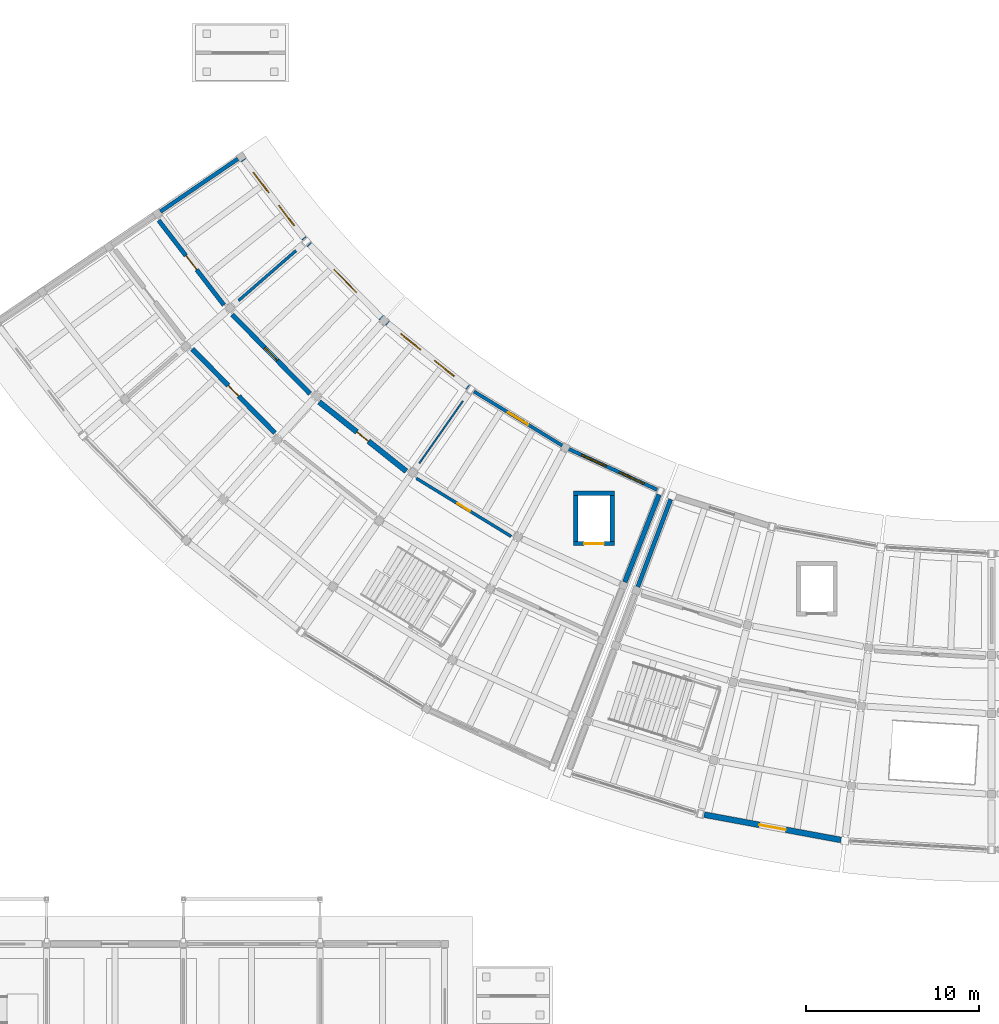
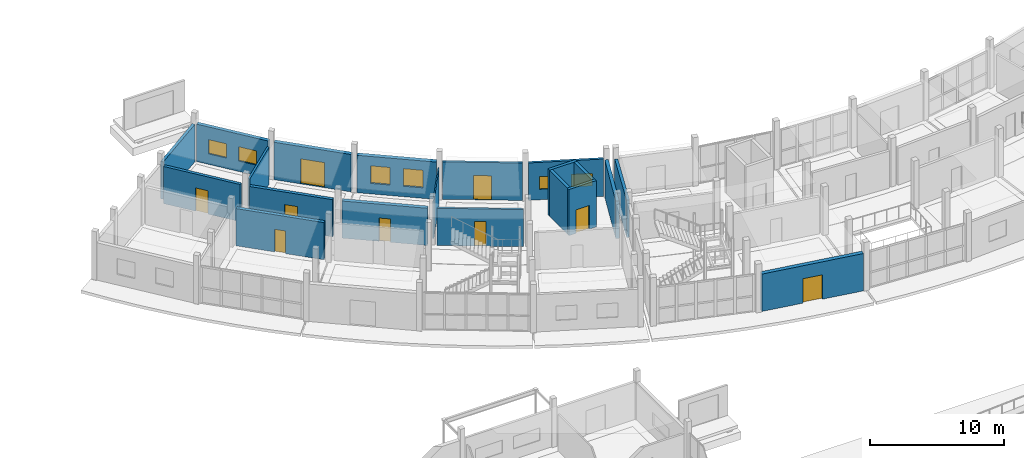
# One storey, part 67 of 92: 20 walls, 9 doors, 6 windows, 15 openings.
"""IFC4 building model written with IfcOpenShell, lengths in metres."""

import ifcopenshell
import ifcopenshell.guid

model = None  # the IFC model being written
_history = None  # IfcOwnerHistory: only IFC2X3 demands one
_inside = {}  # id of a spatial element -> (the spatial element, [elements in it])
_under = {}  # id of a project, library or spatial element -> (it, [spatial elements below it])
_declared = {}  # id of a project -> (the project, [libraries it declares])
_typed = {}  # id of a type object -> (the type object, [elements of that type])
_made_of = {}  # id of a material, layer set ... -> (it, [elements and type objects made of it])


def new_model(schema):
    """Start an empty IFC model of exactly this schema.

    Asked for "IFC4X3", IfcOpenShell would pick the latest addendum, in which some entities
    have other attributes; the version numbers below select the first issue.
    IFC2X3 requires an IfcOwnerHistory on every rooted entity: one is made here for all.
    """
    global model, _history
    if schema == "IFC4X3":
        model = ifcopenshell.file(schema_version=(4, 3, 0, 0))
    else:
        model = ifcopenshell.file(schema=schema)
    _inside.clear()
    _under.clear()
    _declared.clear()
    _typed.clear()
    _made_of.clear()
    _history = None
    if model.schema == "IFC2X3":
        org = make("IfcOrganization", Name="unknown")
        user = make(
            "IfcPersonAndOrganization",
            ThePerson=make("IfcPerson", FamilyName="unknown"),
            TheOrganization=org,
        )
        app = make(
            "IfcApplication",
            ApplicationDeveloper=org,
            Version="unknown",
            ApplicationFullName="unknown",
            ApplicationIdentifier="unknown",
        )
        _history = make(
            "IfcOwnerHistory",
            OwningUser=user,
            OwningApplication=app,
            ChangeAction="ADDED",
            CreationDate=0,
        )
    return model


def make(cls, **values):
    """One entity of the class cls with the attributes given. An attribute that is None is left unset."""
    return model.create_entity(
        cls, **{name: value for name, value in values.items() if value is not None}
    )


def rooted(cls, **values):
    """An entity with a GlobalId (a new one), such as an element, a storey or a relation."""
    return make(cls, GlobalId=ifcopenshell.guid.new(), OwnerHistory=_history, **values)


def si_unit(unit_type, name, prefix=None):
    """IfcSIUnit, for example si_unit("LENGTHUNIT", "METRE", prefix="MILLI")."""
    return make("IfcSIUnit", UnitType=unit_type, Prefix=prefix, Name=name)


def assignment(units):
    """IfcUnitAssignment: the units of a project."""
    return None if units is None else make("IfcUnitAssignment", Units=units)


def point(xyz):
    """IfcCartesianPoint."""
    return None if xyz is None else make("IfcCartesianPoint", Coordinates=xyz)


def direction(xyz):
    """IfcDirection."""
    return None if xyz is None else make("IfcDirection", DirectionRatios=xyz)


def frame(location, z_axis=None, x_axis=None):
    """IfcAxis2Placement3D, a coordinate frame: its origin and axes. An axis left out is left unset."""
    return make(
        "IfcAxis2Placement3D",
        Location=point(location),
        Axis=direction(z_axis),
        RefDirection=direction(x_axis),
    )


def frame_2d(location, x_axis=None):
    """IfcAxis2Placement2D, a coordinate frame in the plane: its origin and x axis."""
    return make(
        "IfcAxis2Placement2D", Location=point(location), RefDirection=direction(x_axis)
    )


def origin():
    """The frame at (0, 0, 0) with its axes left unset."""
    return frame((0.0, 0.0, 0.0))


def place(relative_to, where):
    """IfcLocalPlacement: puts the frame where relative to a parent placement (None: the world)."""
    return make(
        "IfcLocalPlacement", PlacementRelTo=relative_to, RelativePlacement=where
    )


def context(
    kind, dimensions, precision=None, world=None, true_north=None, identifier=None
):
    """IfcGeometricRepresentationContext, for example the 3D "Model" context."""
    return make(
        "IfcGeometricRepresentationContext",
        ContextIdentifier=identifier,
        ContextType=kind,
        CoordinateSpaceDimension=dimensions,
        Precision=precision,
        WorldCoordinateSystem=world,
        TrueNorth=true_north,
    )


def subcontext(parent, identifier, kind, view, scale=None):
    """IfcGeometricRepresentationSubContext, for example "Body" below "Model"."""
    return make(
        "IfcGeometricRepresentationSubContext",
        ContextIdentifier=identifier,
        ContextType=kind,
        ParentContext=parent,
        TargetScale=scale,
        TargetView=view,
    )


def project(units=None, contexts=None):
    """IfcProject with its units and contexts."""
    return rooted(
        "IfcProject",
        Name="project",
        RepresentationContexts=contexts,
        UnitsInContext=assignment(units),
    )


def spatial(cls, under=None, at=None, **own):
    """A site, building, storey or space (cls), placed at a placement, below another one or the project."""
    s = rooted(cls, ObjectPlacement=at, **own)
    if under is not None:
        _under.setdefault(under.id(), (under, []))[1].append(s)
    return s


def profile(cls, at=None, kind="AREA", **sizes):
    """A parametric profile (cls). Its sizes go by their IFC names, for example OverallWidth=200.0."""
    return make(cls, ProfileType=kind, Position=at, **sizes)


def rectangle(**sizes):
    """IfcRectangleProfileDef."""
    return profile("IfcRectangleProfileDef", **sizes)


def extrude(swept, where, along, depth):
    """IfcExtrudedAreaSolid: the profile swept, set in the frame where, extruded along a direction by depth."""
    return make(
        "IfcExtrudedAreaSolid",
        SweptArea=swept,
        Position=where,
        ExtrudedDirection=direction(along),
        Depth=depth,
    )


def shape(context_of_items, identifier, shape_type, items):
    """IfcShapeRepresentation: the items that make up one representation, for example the "Body"."""
    return make(
        "IfcShapeRepresentation",
        ContextOfItems=context_of_items,
        RepresentationIdentifier=identifier,
        RepresentationType=shape_type,
        Items=items,
    )


def material(Name=None, Category=None):
    """IfcMaterial."""
    return make("IfcMaterial", Name=Name, Category=Category)


def layer(
    of_material, thickness, ventilated=None, Name=None, Category=None, Priority=None
):
    """IfcMaterialLayer: one layer of a wall or slab, of a material (None: an air gap)."""
    return make(
        "IfcMaterialLayer",
        Material=of_material,
        LayerThickness=thickness,
        IsVentilated=ventilated,
        Name=Name,
        Category=Category,
        Priority=Priority,
    )


def layer_set(layers, Name=None):
    """IfcMaterialLayerSet."""
    return make("IfcMaterialLayerSet", MaterialLayers=layers, LayerSetName=Name)


def made_of(thing, what):
    """Note that an element or type object is made of a material, layer set ...; save() writes the relation."""
    if what is not None:
        _made_of.setdefault(what.id(), (what, []))[1].append(thing)
    return thing


def type_object(cls, material=None, **own):
    """A type object (cls), such as IfcWallType, which elements share."""
    return made_of(rooted(cls, **own), material)


def element(
    cls,
    number,
    at=None,
    inside=None,
    cuts=None,
    type_object=None,
    material=None,
    context=None,
    identifier="Body",
    shape_type=None,
    held_by="IfcProductDefinitionShape",
    body=None,
    shapes=None,
    **own,
):
    """One element of the class cls, such as IfcWall. Its Tag is "e" and its number.

    at: its placement. inside: the storey or other place that contains it. cuts: it is an
    opening in that element (IfcRelVoidsElement). A single representation is given by context,
    identifier, shape_type and body (its items); several are given by shapes. held_by: the class
    of the entity that holds the representations. save() writes the other relations.
    """
    e = rooted(cls, Tag="e%d" % number, ObjectPlacement=at, **own)
    if body is not None:
        shapes = [shape(context, identifier, shape_type, body)]
    if shapes is not None:
        e.Representation = make(held_by, Representations=shapes)
    if inside is not None:
        _inside.setdefault(inside.id(), (inside, []))[1].append(e)
    if cuts is not None:
        rooted(
            "IfcRelVoidsElement", RelatingBuildingElement=cuts, RelatedOpeningElement=e
        )
    if type_object is not None:
        _typed.setdefault(type_object.id(), (type_object, []))[1].append(e)
    return made_of(e, material)


def fill(opening, filler):
    """IfcRelFillsElement: the door or window that sits in an opening."""
    return rooted(
        "IfcRelFillsElement",
        RelatingOpeningElement=opening,
        RelatedBuildingElement=filler,
    )


def aggregate(whole, parts):
    """IfcRelAggregates: a whole, such as a stair, and the parts it consists of."""
    return rooted("IfcRelAggregates", RelatingObject=whole, RelatedObjects=parts)


def save(model, path):
    """Write the relations noted so far, then the file.

    IfcRelAggregates (storeys below a building ...), IfcRelContainedInSpatialStructure (elements
    in a storey), IfcRelDefinesByType, IfcRelAssociatesMaterial and IfcRelDeclares: one each for
    every whole, place, type object, material and project.
    """
    for whole, parts in _under.values():
        aggregate(whole, parts)
    for where, things in _inside.values():
        rooted(
            "IfcRelContainedInSpatialStructure",
            RelatedElements=things,
            RelatingStructure=where,
        )
    for kind, things in _typed.values():
        rooted("IfcRelDefinesByType", RelatedObjects=things, RelatingType=kind)
    for what, things in _made_of.values():
        rooted("IfcRelAssociatesMaterial", RelatedObjects=things, RelatingMaterial=what)
    for by, libraries in _declared.values():
        rooted("IfcRelDeclares", RelatingContext=by, RelatedDefinitions=libraries)
    model.write(path)


model = new_model("IFC4")

# Units and contexts
model_context = context("Model", 3, precision=1e-05, world=origin(), true_north=direction((0.0, 1.0)))
body_context = subcontext(model_context, "Body", "Model", "MODEL_VIEW")
ifc_project = project(units=[si_unit("LENGTHUNIT", "METRE"), si_unit("AREAUNIT", "SQUARE_METRE"), si_unit("VOLUMEUNIT", "CUBIC_METRE"), si_unit("PLANEANGLEUNIT", "RADIAN"), si_unit("MASSUNIT", "GRAM", prefix="KILO")], contexts=[model_context])

# Site, building, storey
site_placement = place(None, origin())
site = spatial("IfcSite", under=ifc_project, at=site_placement, CompositionType="ELEMENT")
building_placement = place(site_placement, origin())
building = spatial("IfcBuilding", under=site, at=building_placement, Name="Caldaven Crescent School", CompositionType="ELEMENT")
storey_placement = place(building_placement, origin())
storey = spatial("IfcBuildingStorey", under=building, at=storey_placement, Name="L00", CompositionType="ELEMENT", Elevation=0.0)

# Wall
ifc_material_1 = material(Name="Concrete C35/45", Category="concrete")
ifc_layer_1 = layer(ifc_material_1, 0.300048828125)
ifc_layer_set_1 = layer_set([ifc_layer_1], Name="Concrete C35/45")
wall_type_1 = type_object("IfcWallType", Name="WAL-CW1", PredefinedType="SHEAR", material=ifc_layer_set_1)
wall_1_placement = place(storey_placement, frame((63.85107421875, 47.0380859375, 0.0), z_axis=(0.0, 0.0, 1.0), x_axis=(1.0, 0.0, 0.0)))
element("IfcWall", 1, at=wall_1_placement, inside=storey, type_object=wall_type_1, Name="CW-LF4-L00-N", PredefinedType="SHEAR", context=body_context, shape_type="SweptSolid", body=[
    extrude(rectangle(XDim=2.349853515625, YDim=0.25, at=frame_2d((1.1748046875, 0.0))), origin(), (0.0, 0.0, 1.0), 4.199951171875),
])

# Wall, opening, door
wall_2_placement = place(storey_placement, frame((63.85107421875, 44.13818359375, 0.0), z_axis=(0.0, 0.0, 1.0), x_axis=(1.0, 0.0, 0.0)))
wall_2 = element("IfcWall", 2, at=wall_2_placement, inside=storey, type_object=wall_type_1, Name="CW-LF4-L00-S", PredefinedType="SHEAR", context=body_context, shape_type="SweptSolid", body=[
    extrude(rectangle(XDim=2.349853515625, YDim=0.25, at=frame_2d((1.1748046875, 0.0))), origin(), (0.0, 0.0, 1.0), 4.199951171875),
])
opening_1_placement = place(wall_2_placement, frame((0.60009765625, 0.0, 0.0)))
opening_1 = element("IfcOpeningElement", 3, at=opening_1_placement, cuts=wall_2, Name="Opening LD-LF4-L00", PredefinedType="OPENING", context=body_context, shape_type="SweptSolid", body=[
    extrude(rectangle(XDim=1.14990234375, YDim=2.14990234375, at=frame_2d((0.574951171875, 1.074951171875))), frame((0.0, 0.135009765625, 0.0), z_axis=(0.0, -1.0, 0.0), x_axis=(1.0, 0.0, 0.0)), (0.0, 0.0, 1.0), 0.27001953125),
])
ifc_material_2 = material(Name="Brushed stainless-steel automatic telescopic landing door", Category="steel")
door_type_1 = type_object("IfcDoorType", Name="DOR-LD02", OperationType="DOUBLE_DOOR_SLIDING", PredefinedType="DOOR", material=ifc_material_2)
door_1_placement = place(opening_1_placement, origin())
door_1 = element("IfcDoor", 4, at=door_1_placement, inside=storey, type_object=door_type_1, Name="DOR-LD-LF4-L00", OperationType="DOUBLE_DOOR_SLIDING", OverallHeight=2.14990234375, OverallWidth=1.14990234375, PredefinedType="DOOR", context=body_context, shape_type="SweptSolid", body=[
    extrude(rectangle(XDim=1.14990234375, YDim=2.14990234375, at=frame_2d((0.574951171875, 1.074951171875))), frame((0.0, 0.02490234375, 0.0), z_axis=(0.0, -1.0, 0.0), x_axis=(1.0, 0.0, 0.0)), (0.0, 0.0, 1.0), 0.050048828125),
])
fill(opening_1, door_1)

# Walls
ifc_layer_2 = layer(ifc_material_1, 0.25)
ifc_layer_set_2 = layer_set([ifc_layer_2], Name="Concrete C35/45")
wall_type_2 = type_object("IfcWallType", Name="WAL-CW2", PredefinedType="SHEAR", material=ifc_layer_set_2)
for number, where, z_axis, x_axis, name in (
    (5, (63.97607421875, 44.26318359375, 0.0), (0.0, 0.0, 1.0), (0.0, 1.0, 0.0), "CW-LF4-L00-W"),
    (6, (66.075927734375, 44.26318359375, 0.0), (0.0, 0.0, 1.0), (0.0, 1.0, 0.0), "CW-LF4-L00-E"),
):
    element("IfcWall", number, at=place(storey_placement, frame(where, z_axis=z_axis, x_axis=x_axis)), inside=storey, type_object=wall_type_2, Name=name, PredefinedType="SHEAR", context=body_context, shape_type="SweptSolid", body=[
        extrude(rectangle(XDim=2.64990234375, YDim=0.25, at=frame_2d((1.324951171875, 0.0))), origin(), (0.0, 0.0, 1.0), 4.199951171875),
    ])

# Wall, opening, door
ifc_material_3 = material(Name="Precast concrete C35/45", Category="concrete")
ifc_layer_3 = layer(ifc_material_3, 0.19189453125)
ifc_layer_set_3 = layer_set([ifc_layer_3], Name="Precast concrete C35/45")
wall_type_3 = type_object("IfcWallType", Name="WAL-EW01", PredefinedType="STANDARD", material=ifc_layer_set_3)
wall_3_placement = place(storey_placement, frame((58.097412109375, 52.924072265625, 0.0), z_axis=(0.0, 0.0, 1.0), x_axis=(0.852659356221, -0.522467245145, 0.0)))
wall_3 = element("IfcWall", 7, at=wall_3_placement, inside=storey, type_object=wall_type_3, Name="EW-L00-084", PredefinedType="STANDARD", context=body_context, shape_type="SweptSolid", body=[
    extrude(rectangle(XDim=5.97802734375, YDim=0.19189453125, at=frame_2d((2.989013671875, 0.0))), origin(), (0.0, 0.0, 1.0), 3.39990234375),
])
opening_2_placement = place(wall_3_placement, frame((2.31396484375, 0.0, 0.0)))
opening_2 = element("IfcOpeningElement", 8, at=opening_2_placement, cuts=wall_3, Name="Opening D-L00-E021", PredefinedType="OPENING", context=body_context, shape_type="SweptSolid", body=[
    extrude(rectangle(XDim=1.35009765625, YDim=2.199951171875, at=frame_2d((0.675048828125, 1.10009765625))), frame((0.0, 0.10595703125, 0.0), z_axis=(0.0, -1.0, 0.0), x_axis=(1.0, 0.0, 0.0)), (0.0, 0.0, 1.0), 0.2119140625),
])
ifc_material_4 = material(Name="Thermally broken bronze-anodised aluminium and laminated safety glass", Category="aluminium")
door_type_2 = type_object("IfcDoorType", Name="DOR-EX06", OperationType="NOTDEFINED", PredefinedType="DOOR", material=ifc_material_4)
door_2_placement = place(opening_2_placement, origin())
door_2 = element("IfcDoor", 9, at=door_2_placement, inside=storey, type_object=door_type_2, Name="DOR-EXT-L00-021", OperationType="DOUBLE_DOOR_SINGLE_SWING", OverallHeight=2.199951171875, OverallWidth=1.35009765625, PredefinedType="DOOR", context=body_context, shape_type="SweptSolid", body=[
    extrude(rectangle(XDim=1.35009765625, YDim=2.199951171875, at=frame_2d((0.675048828125, 1.10009765625))), frame((0.0, 0.02490234375, 0.0), z_axis=(0.0, -1.0, 0.0), x_axis=(1.0, 0.0, 0.0)), (0.0, 0.0, 1.0), 0.050048828125),
])
fill(opening_2, door_2)

# Wall, openings, windows
ifc_layer_4 = layer(ifc_material_3, 0.2041015625)
ifc_layer_set_4 = layer_set([ifc_layer_4], Name="Precast concrete C35/45")
wall_type_4 = type_object("IfcWallType", Name="WAL-EW02", PredefinedType="STANDARD", material=ifc_layer_set_4)
wall_4_placement = place(storey_placement, frame((63.56982421875, 49.600341796875, 0.0), z_axis=(0.0, 0.0, 1.0), x_axis=(0.908520811687, -0.417839604074, 0.0)))
wall_4 = element("IfcWall", 10, at=wall_4_placement, inside=storey, type_object=wall_type_4, Name="EW-L00-085", PredefinedType="STANDARD", context=body_context, shape_type="SweptSolid", body=[
    extrude(rectangle(XDim=5.617431640625, YDim=0.2041015625, at=frame_2d((2.80859375, 0.0))), origin(), (0.0, 0.0, 1.0), 3.39990234375),
])
opening_3_placement = place(wall_4_placement, frame((0.819091796875, 0.0, 0.949951171875)))
opening_3 = element("IfcOpeningElement", 11, at=opening_3_placement, cuts=wall_4, Name="Opening W17", PredefinedType="OPENING", context=body_context, shape_type="SweptSolid", body=[
    extrude(rectangle(XDim=1.580078125, YDim=1.14990234375, at=frame_2d((0.7900390625, 0.574951171875))), frame((0.0, 0.112060546875, 0.0), z_axis=(0.0, -1.0, 0.0), x_axis=(1.0, 0.0, 0.0)), (0.0, 0.0, 1.0), 0.22412109375),
])
opening_4_placement = place(wall_4_placement, frame((3.21826171875, 0.0, 0.949951171875)))
opening_4 = element("IfcOpeningElement", 12, at=opening_4_placement, cuts=wall_4, Name="Opening W17", PredefinedType="OPENING", context=body_context, shape_type="SweptSolid", body=[
    extrude(rectangle(XDim=1.580078125, YDim=1.14990234375, at=frame_2d((0.7900390625, 0.574951171875))), frame((0.0, 0.112060546875, 0.0), z_axis=(0.0, -1.0, 0.0), x_axis=(1.0, 0.0, 0.0)), (0.0, 0.0, 1.0), 0.22412109375),
])
ifc_material_5 = material(Name="Thermally broken anodised aluminium AA 6063-T6 and low-E double glazing", Category="aluminium")
window_type_1 = type_object("IfcWindowType", Name="WIN-W17", PartitioningType="SINGLE_PANEL", PredefinedType="WINDOW", material=ifc_material_5)
window_1_placement = place(opening_3_placement, origin())
window_1 = element("IfcWindow", 13, at=window_1_placement, inside=storey, type_object=window_type_1, Name="WIN-L00-064-1", OverallHeight=1.14990234375, OverallWidth=1.580078125, PartitioningType="SINGLE_PANEL", PredefinedType="WINDOW", context=body_context, shape_type="SweptSolid", body=[
    extrude(rectangle(XDim=1.580078125, YDim=1.14990234375, at=frame_2d((0.7900390625, 0.574951171875))), frame((0.0, 0.030029296875, 0.0), z_axis=(0.0, -1.0, 0.0), x_axis=(1.0, 0.0, 0.0)), (0.0, 0.0, 1.0), 0.06005859375),
])
fill(opening_3, window_1)
window_2_placement = place(opening_4_placement, origin())
window_2 = element("IfcWindow", 14, at=window_2_placement, inside=storey, type_object=window_type_1, Name="WIN-L00-064-2", OverallHeight=1.14990234375, OverallWidth=1.580078125, PartitioningType="SINGLE_PANEL", PredefinedType="WINDOW", context=body_context, shape_type="SweptSolid", body=[
    extrude(rectangle(XDim=1.580078125, YDim=1.14990234375, at=frame_2d((0.7900390625, 0.574951171875))), frame((0.0, 0.030029296875, 0.0), z_axis=(0.0, -1.0, 0.0), x_axis=(1.0, 0.0, 0.0)), (0.0, 0.0, 1.0), 0.06005859375),
])
fill(opening_4, window_2)

# Walls
ifc_layer_5 = layer(ifc_material_3, 0.22802734375)
ifc_layer_set_5 = layer_set([ifc_layer_5], Name="Precast concrete C35/45")
wall_type_5 = type_object("IfcWallType", Name="WAL-EW04", PredefinedType="STANDARD", material=ifc_layer_set_5)
wall_5_placement = place(storey_placement, frame((44.46142578125, 66.37255859375, 0.0), z_axis=(0.0, 0.0, 1.0), x_axis=(-0.826728872558, -0.562600543262, 0.0)))
element("IfcWall", 15, at=wall_5_placement, inside=storey, type_object=wall_type_5, Name="EW-L00-087", PredefinedType="STANDARD", context=body_context, shape_type="SweptSolid", body=[
    extrude(rectangle(XDim=5.423828125, YDim=0.22802734375, at=frame_2d((2.7119140625, 0.0))), origin(), (0.0, 0.0, 1.0), 3.39990234375),
])
ifc_layer_6 = layer(ifc_material_3, 0.239990234375)
ifc_layer_set_6 = layer_set([ifc_layer_6], Name="Precast concrete C35/45")
wall_type_6 = type_object("IfcWallType", Name="WAL-EW05", PredefinedType="STANDARD", material=ifc_layer_set_6)
wall_6_placement = place(storey_placement, frame((69.4609375, 46.692138671875, 0.0), z_axis=(0.0, 0.0, 1.0), x_axis=(-0.351902052439, -0.936036829131, 0.0)))
element("IfcWall", 16, at=wall_6_placement, inside=storey, type_object=wall_type_6, Name="EW-L00-102", PredefinedType="STANDARD", context=body_context, shape_type="SweptSolid", body=[
    extrude(rectangle(XDim=5.39404296875, YDim=0.239990234375, at=frame_2d((2.697021484375, 0.0))), origin(), (0.0, 0.0, 1.0), 3.39990234375),
])
ifc_layer_7 = layer(ifc_material_3, 0.27587890625)
ifc_layer_set_7 = layer_set([ifc_layer_7], Name="Precast concrete C35/45")
wall_type_7 = type_object("IfcWallType", Name="WAL-EW08", PredefinedType="STANDARD", material=ifc_layer_set_7)
wall_7_placement = place(storey_placement, frame((68.789306640625, 46.966064453125, 0.0), z_axis=(0.0, 0.0, 1.0), x_axis=(-0.364808316681, -0.93108264514, 0.0)))
element("IfcWall", 17, at=wall_7_placement, inside=storey, type_object=wall_type_7, Name="EW-L00-091", PredefinedType="STANDARD", context=body_context, shape_type="SweptSolid", body=[
    extrude(rectangle(XDim=5.424072265625, YDim=0.27587890625, at=frame_2d((2.7119140625, 0.0))), origin(), (0.0, 0.0, 1.0), 3.39990234375),
])

# Wall, openings, windows
ifc_layer_8 = layer(ifc_material_3, 0.300048828125)
ifc_layer_set_8 = layer_set([ifc_layer_8], Name="Precast concrete C35/45")
wall_type_8 = type_object("IfcWallType", Name="WAL-EW10", PredefinedType="STANDARD", material=ifc_layer_set_8)
wall_8_placement = place(storey_placement, frame((44.767578125, 66.32373046875, 0.0), z_axis=(0.0, 0.0, 1.0), x_axis=(0.610359492997, -0.792124541539, 0.0)))
wall_8 = element("IfcWall", 18, at=wall_8_placement, inside=storey, type_object=wall_type_8, Name="EW-L00-079", PredefinedType="STANDARD", context=body_context, shape_type="SweptSolid", body=[
    extrude(rectangle(XDim=5.763427734375, YDim=0.300048828125, at=frame_2d((2.8818359375, 0.0))), origin(), (0.0, 0.0, 1.0), 3.39990234375),
])
opening_5_placement = place(wall_8_placement, frame((0.94775390625, 0.0, 0.949951171875)))
opening_5 = element("IfcOpeningElement", 19, at=opening_5_placement, cuts=wall_8, Name="Opening W14", PredefinedType="OPENING", context=body_context, shape_type="SweptSolid", body=[
    extrude(rectangle(XDim=1.4599609375, YDim=1.300048828125, at=frame_2d((0.72998046875, 0.64990234375))), frame((0.0, 0.159912109375, 0.0), z_axis=(0.0, -1.0, 0.0), x_axis=(1.0, 0.0, 0.0)), (0.0, 0.0, 1.0), 0.320068359375),
])
opening_6_placement = place(wall_8_placement, frame((3.355712890625, 0.0, 0.949951171875)))
opening_6 = element("IfcOpeningElement", 20, at=opening_6_placement, cuts=wall_8, Name="Opening W14", PredefinedType="OPENING", context=body_context, shape_type="SweptSolid", body=[
    extrude(rectangle(XDim=1.4599609375, YDim=1.300048828125, at=frame_2d((0.72998046875, 0.64990234375))), frame((0.0, 0.159912109375, 0.0), z_axis=(0.0, -1.0, 0.0), x_axis=(1.0, 0.0, 0.0)), (0.0, 0.0, 1.0), 0.320068359375),
])
window_type_2 = type_object("IfcWindowType", Name="WIN-W14", PartitioningType="SINGLE_PANEL", PredefinedType="WINDOW", material=ifc_material_5)
window_3_placement = place(opening_5_placement, origin())
window_3 = element("IfcWindow", 21, at=window_3_placement, inside=storey, type_object=window_type_2, Name="WIN-L00-061-1", OverallHeight=1.300048828125, OverallWidth=1.4599609375, PartitioningType="SINGLE_PANEL", PredefinedType="WINDOW", context=body_context, shape_type="SweptSolid", body=[
    extrude(rectangle(XDim=1.4599609375, YDim=1.300048828125, at=frame_2d((0.72998046875, 0.64990234375))), frame((0.0, 0.030029296875, 0.0), z_axis=(0.0, -1.0, 0.0), x_axis=(1.0, 0.0, 0.0)), (0.0, 0.0, 1.0), 0.06005859375),
])
fill(opening_5, window_3)
window_4_placement = place(opening_6_placement, origin())
window_4 = element("IfcWindow", 22, at=window_4_placement, inside=storey, type_object=window_type_2, Name="WIN-L00-061-2", OverallHeight=1.300048828125, OverallWidth=1.4599609375, PartitioningType="SINGLE_PANEL", PredefinedType="WINDOW", context=body_context, shape_type="SweptSolid", body=[
    extrude(rectangle(XDim=1.4599609375, YDim=1.300048828125, at=frame_2d((0.72998046875, 0.64990234375))), frame((0.0, 0.030029296875, 0.0), z_axis=(0.0, -1.0, 0.0), x_axis=(1.0, 0.0, 0.0)), (0.0, 0.0, 1.0), 0.06005859375),
])
fill(opening_6, window_4)

# Wall, opening, door
ifc_layer_9 = layer(ifc_material_3, 0.323974609375)
ifc_layer_set_9 = layer_set([ifc_layer_9], Name="Precast concrete C35/45")
wall_type_9 = type_object("IfcWallType", Name="WAL-EW12", PredefinedType="STANDARD", material=ifc_layer_set_9)
wall_9_placement = place(storey_placement, frame((48.564697265625, 61.437744140625, 0.0), z_axis=(0.0, 0.0, 1.0), x_axis=(0.700933675957, -0.713226459064, 0.0)))
wall_9 = element("IfcWall", 23, at=wall_9_placement, inside=storey, type_object=wall_type_9, Name="EW-L00-081", PredefinedType="STANDARD", context=body_context, shape_type="SweptSolid", body=[
    extrude(rectangle(XDim=5.97802734375, YDim=0.323974609375, at=frame_2d((2.989013671875, 0.0))), origin(), (0.0, 0.0, 1.0), 3.39990234375),
])
opening_7_placement = place(wall_9_placement, frame((2.06396484375, 0.0, 0.0)))
opening_7 = element("IfcOpeningElement", 24, at=opening_7_placement, cuts=wall_9, Name="Opening D-L00-E019", PredefinedType="OPENING", context=body_context, shape_type="SweptSolid", body=[
    extrude(rectangle(XDim=1.85009765625, YDim=2.280029296875, at=frame_2d((0.925048828125, 1.14013671875))), frame((0.0, 0.171875, 0.0), z_axis=(0.0, -1.0, 0.0), x_axis=(1.0, 0.0, 0.0)), (0.0, 0.0, 1.0), 0.343994140625),
])
door_type_3 = type_object("IfcDoorType", Name="DOR-EX11", OperationType="NOTDEFINED", PredefinedType="DOOR", material=ifc_material_4)
door_3_placement = place(opening_7_placement, origin())
door_3 = element("IfcDoor", 25, at=door_3_placement, inside=storey, type_object=door_type_3, Name="DOR-EXT-L00-019", OperationType="DOUBLE_DOOR_SINGLE_SWING", OverallHeight=2.280029296875, OverallWidth=1.85009765625, PredefinedType="DOOR", context=body_context, shape_type="SweptSolid", body=[
    extrude(rectangle(XDim=1.85009765625, YDim=2.280029296875, at=frame_2d((0.925048828125, 1.14013671875))), frame((0.0, 0.02490234375, 0.0), z_axis=(0.0, -1.0, 0.0), x_axis=(1.0, 0.0, 0.0)), (0.0, 0.0, 1.0), 0.050048828125),
])
fill(opening_7, door_3)

# Wall, openings, windows
ifc_layer_10 = layer(ifc_material_3, 0.3359375)
ifc_layer_set_10 = layer_set([ifc_layer_10], Name="Precast concrete C35/45")
wall_type_10 = type_object("IfcWallType", Name="WAL-EW13", PredefinedType="STANDARD", material=ifc_layer_set_10)
wall_10_placement = place(storey_placement, frame((53.07080078125, 56.889404296875, 0.0), z_axis=(0.0, 0.0, 1.0), x_axis=(0.782606932648, -0.62251617567, 0.0)))
wall_10 = element("IfcWall", 26, at=wall_10_placement, inside=storey, type_object=wall_type_10, Name="EW-L00-082", PredefinedType="STANDARD", context=body_context, shape_type="SweptSolid", body=[
    extrude(rectangle(XDim=5.97802734375, YDim=0.3359375, at=frame_2d((2.989013671875, 0.0))), origin(), (0.0, 0.0, 1.0), 3.39990234375),
])
opening_8_placement = place(wall_10_placement, frame((1.019287109375, 0.0, 0.949951171875)))
opening_8 = element("IfcOpeningElement", 27, at=opening_8_placement, cuts=wall_10, Name="Opening W16", PredefinedType="OPENING", context=body_context, shape_type="SweptSolid", body=[
    extrude(rectangle(XDim=1.4599609375, YDim=1.60009765625, at=frame_2d((0.72998046875, 0.800048828125))), frame((0.0, 0.177978515625, 0.0), z_axis=(0.0, -1.0, 0.0), x_axis=(1.0, 0.0, 0.0)), (0.0, 0.0, 1.0), 0.35595703125),
])
opening_9_placement = place(wall_10_placement, frame((3.498779296875, 0.0, 0.949951171875)))
opening_9 = element("IfcOpeningElement", 28, at=opening_9_placement, cuts=wall_10, Name="Opening W16", PredefinedType="OPENING", context=body_context, shape_type="SweptSolid", body=[
    extrude(rectangle(XDim=1.4599609375, YDim=1.60009765625, at=frame_2d((0.72998046875, 0.800048828125))), frame((0.0, 0.177978515625, 0.0), z_axis=(0.0, -1.0, 0.0), x_axis=(1.0, 0.0, 0.0)), (0.0, 0.0, 1.0), 0.35595703125),
])
window_type_3 = type_object("IfcWindowType", Name="WIN-W16", PartitioningType="SINGLE_PANEL", PredefinedType="WINDOW", material=ifc_material_5)
window_5_placement = place(opening_8_placement, origin())
window_5 = element("IfcWindow", 29, at=window_5_placement, inside=storey, type_object=window_type_3, Name="WIN-L00-063-1", OverallHeight=1.60009765625, OverallWidth=1.4599609375, PartitioningType="SINGLE_PANEL", PredefinedType="WINDOW", context=body_context, shape_type="SweptSolid", body=[
    extrude(rectangle(XDim=1.4599609375, YDim=1.60009765625, at=frame_2d((0.72998046875, 0.800048828125))), frame((0.0, 0.030029296875, 0.0), z_axis=(0.0, -1.0, 0.0), x_axis=(1.0, 0.0, 0.0)), (0.0, 0.0, 1.0), 0.06005859375),
])
fill(opening_8, window_5)
window_6_placement = place(opening_9_placement, origin())
window_6 = element("IfcWindow", 30, at=window_6_placement, inside=storey, type_object=window_type_3, Name="WIN-L00-063-2", OverallHeight=1.60009765625, OverallWidth=1.4599609375, PartitioningType="SINGLE_PANEL", PredefinedType="WINDOW", context=body_context, shape_type="SweptSolid", body=[
    extrude(rectangle(XDim=1.4599609375, YDim=1.60009765625, at=frame_2d((0.72998046875, 0.800048828125))), frame((0.0, 0.030029296875, 0.0), z_axis=(0.0, -1.0, 0.0), x_axis=(1.0, 0.0, 0.0)), (0.0, 0.0, 1.0), 0.06005859375),
])
fill(opening_9, window_6)

# Wall, opening, door
wall_11_placement = place(storey_placement, frame((71.3984375, 28.474365234375, 0.0), z_axis=(0.0, 0.0, 1.0), x_axis=(0.983256610621, -0.182226336377, 0.0)))
wall_11 = element("IfcWall", 31, at=wall_11_placement, inside=storey, type_object=wall_type_10, Name="EW-L00-096", PredefinedType="STANDARD", context=body_context, shape_type="SweptSolid", body=[
    extrude(rectangle(XDim=8.035888671875, YDim=0.3359375, at=frame_2d((4.01806640625, 0.0))), origin(), (0.0, 0.0, 1.0), 3.39990234375),
])
opening_10_placement = place(wall_11_placement, frame((3.242919921875, 0.0, 0.0)))
opening_10 = element("IfcOpeningElement", 32, at=opening_10_placement, cuts=wall_11, Name="Opening D-L00-E023", PredefinedType="OPENING", context=body_context, shape_type="SweptSolid", body=[
    extrude(rectangle(XDim=1.550048828125, YDim=2.219970703125, at=frame_2d((0.77490234375, 1.10986328125))), frame((0.0, 0.177978515625, 0.0), z_axis=(0.0, -1.0, 0.0), x_axis=(1.0, 0.0, 0.0)), (0.0, 0.0, 1.0), 0.35595703125),
])
door_type_4 = type_object("IfcDoorType", Name="DOR-EX08", OperationType="NOTDEFINED", PredefinedType="DOOR", material=ifc_material_4)
door_4_placement = place(opening_10_placement, frame((1.550048828125, 0.0, 0.0), z_axis=(0.0, 0.0, 1.0), x_axis=(-1.0, 0.0, 0.0)))
door_4 = element("IfcDoor", 33, at=door_4_placement, inside=storey, type_object=door_type_4, Name="DOR-EXT-L00-023", OperationType="DOUBLE_DOOR_SINGLE_SWING", OverallHeight=2.219970703125, OverallWidth=1.550048828125, PredefinedType="DOOR", context=body_context, shape_type="SweptSolid", body=[
    extrude(rectangle(XDim=1.550048828125, YDim=2.219970703125, at=frame_2d((0.77490234375, 1.10986328125))), frame((0.0, 0.02490234375, 0.0), z_axis=(0.0, -1.0, 0.0), x_axis=(1.0, 0.0, 0.0)), (0.0, 0.0, 1.0), 0.050048828125),
])
fill(opening_10, door_4)

ifc_material_6 = material(Name="Acoustic timber-stud and fire-rated gypsum board assembly", Category="wood")
ifc_layer_11 = layer(ifc_material_6, 0.169921875)
ifc_layer_set_11 = layer_set([ifc_layer_11], Name="Acoustic timber-stud and fire-rated gypsum board assembly")
wall_type_11 = type_object("IfcWallType", Name="WAL-IW02", PredefinedType="STANDARD", material=ifc_layer_set_11)
wall_12_placement = place(storey_placement, frame((54.76416015625, 47.907958984375, 0.0), z_axis=(0.0, 0.0, 1.0), x_axis=(0.852626937867, -0.522520147767, 0.0)))
wall_12 = element("IfcWall", 34, at=wall_12_placement, inside=storey, type_object=wall_type_11, Name="IW-L00-0177", PredefinedType="STANDARD", context=body_context, shape_type="SweptSolid", body=[
    extrude(rectangle(XDim=6.42041015625, YDim=0.169921875, at=frame_2d((3.210205078125, 0.0))), origin(), (0.0, 0.0, 1.0), 3.3798828125),
])
opening_11_placement = place(wall_12_placement, frame((2.780029296875, 0.0, 0.0)))
opening_11 = element("IfcOpeningElement", 35, at=opening_11_placement, cuts=wall_12, Name="Opening D-L00-I123", PredefinedType="OPENING", context=body_context, shape_type="SweptSolid", body=[
    extrude(rectangle(XDim=0.860107421875, YDim=2.239990234375, at=frame_2d((0.43017578125, 1.1201171875))), frame((0.0, 0.094970703125, 0.0), z_axis=(0.0, -1.0, 0.0), x_axis=(1.0, 0.0, 0.0)), (0.0, 0.0, 1.0), 0.18994140625),
])
ifc_material_7 = material(Name="Solid-core Pino Radiata acoustic timber leaf in steel frame", Category="steel")
door_type_5 = type_object("IfcDoorType", Name="DOR-ID04", OperationType="NOTDEFINED", PredefinedType="DOOR", material=ifc_material_7)
door_5_placement = place(opening_11_placement, frame((0.860107421875, 0.0, 0.0), z_axis=(0.0, 0.0, 1.0), x_axis=(-1.0, 0.0, 0.0)))
door_5 = element("IfcDoor", 36, at=door_5_placement, inside=storey, type_object=door_type_5, Name="DOR-INT-L00-0123", OperationType="SINGLE_SWING_RIGHT", OverallHeight=2.239990234375, OverallWidth=0.860107421875, PredefinedType="DOOR", context=body_context, shape_type="SweptSolid", body=[
    extrude(rectangle(XDim=0.860107421875, YDim=2.239990234375, at=frame_2d((0.43017578125, 1.1201171875))), frame((0.0, 0.02490234375, 0.0), z_axis=(0.0, -1.0, 0.0), x_axis=(1.0, 0.0, 0.0)), (0.0, 0.0, 1.0), 0.050048828125),
])
fill(opening_11, door_5)

ifc_layer_12 = layer(ifc_material_6, 0.25)
ifc_layer_set_12 = layer_set([ifc_layer_12], Name="Acoustic timber-stud and fire-rated gypsum board assembly")
wall_type_12 = type_object("IfcWallType", Name="WAL-IW10", PredefinedType="STANDARD", material=ifc_layer_set_12)
wall_13_placement = place(storey_placement, frame((39.8720703125, 62.81494140625, 0.0), z_axis=(0.0, 0.0, 1.0), x_axis=(0.610376740954, -0.79211125109, 0.0)))
wall_13 = element("IfcWall", 37, at=wall_13_placement, inside=storey, type_object=wall_type_12, Name="IW-L00-0169", PredefinedType="STANDARD", context=body_context, shape_type="SweptSolid", body=[
    extrude(rectangle(XDim=6.180908203125, YDim=0.25, at=frame_2d((3.09033203125, 0.0))), origin(), (0.0, 0.0, 1.0), 3.3798828125),
])
opening_12_placement = place(wall_13_placement, frame((2.58056640625, 0.0, 0.0)))
opening_12 = element("IfcOpeningElement", 38, at=opening_12_placement, cuts=wall_13, Name="Opening D-L00-I117", PredefinedType="OPENING", context=body_context, shape_type="SweptSolid", body=[
    extrude(rectangle(XDim=1.02001953125, YDim=2.1201171875, at=frame_2d((0.510009765625, 1.06005859375))), frame((0.0, 0.135009765625, 0.0), z_axis=(0.0, -1.0, 0.0), x_axis=(1.0, 0.0, 0.0)), (0.0, 0.0, 1.0), 0.27001953125),
])
door_type_6 = type_object("IfcDoorType", Name="DOR-ID18", OperationType="NOTDEFINED", PredefinedType="DOOR", material=ifc_material_7)
door_6_placement = place(opening_12_placement, frame((1.02001953125, 0.0, 0.0), z_axis=(0.0, 0.0, 1.0), x_axis=(-1.0, 0.0, 0.0)))
door_6 = element("IfcDoor", 39, at=door_6_placement, inside=storey, type_object=door_type_6, Name="DOR-INT-L00-0117", OperationType="SINGLE_SWING_RIGHT", OverallHeight=2.1201171875, OverallWidth=1.02001953125, PredefinedType="DOOR", context=body_context, shape_type="SweptSolid", body=[
    extrude(rectangle(XDim=1.02001953125, YDim=2.1201171875, at=frame_2d((0.510009765625, 1.06005859375))), frame((0.0, 0.02490234375, 0.0), z_axis=(0.0, -1.0, 0.0), x_axis=(1.0, 0.0, 0.0)), (0.0, 0.0, 1.0), 0.050048828125),
])
fill(opening_12, door_6)

ifc_material_8 = material(Name="Autoclaved aerated concrete block masonry G5", Category="masonry")
ifc_layer_13 = layer(ifc_material_8, 0.27001953125)
ifc_layer_set_13 = layer_set([ifc_layer_13], Name="Autoclaved aerated concrete block masonry G5")
wall_type_13 = type_object("IfcWallType", Name="WAL-IW12", PredefinedType="STANDARD", material=ifc_layer_set_13)
wall_14_placement = place(storey_placement, frame((44.116943359375, 57.376953125, 0.0), z_axis=(0.0, 0.0, 1.0), x_axis=(0.700900509406, -0.713259052459, 0.0)))
wall_14 = element("IfcWall", 40, at=wall_14_placement, inside=storey, type_object=wall_type_13, Name="IW-L00-0171", PredefinedType="STANDARD", context=body_context, shape_type="SweptSolid", body=[
    extrude(rectangle(XDim=6.42041015625, YDim=0.27001953125, at=frame_2d((3.210205078125, 0.0))), origin(), (0.0, 0.0, 1.0), 3.3798828125),
])
opening_13_placement = place(wall_14_placement, frame((2.7001953125, 0.0, 0.0)))
opening_13 = element("IfcOpeningElement", 41, at=opening_13_placement, cuts=wall_14, Name="Opening D-L00-I119", PredefinedType="OPENING", context=body_context, shape_type="SweptSolid", body=[
    extrude(rectangle(XDim=1.02001953125, YDim=2.239990234375, at=frame_2d((0.510009765625, 1.1201171875))), frame((0.0, 0.14501953125, 0.0), z_axis=(0.0, -1.0, 0.0), x_axis=(1.0, 0.0, 0.0)), (0.0, 0.0, 1.0), 0.2900390625),
])
door_type_7 = type_object("IfcDoorType", Name="DOR-ID20", OperationType="NOTDEFINED", PredefinedType="DOOR", material=ifc_material_7)
door_7_placement = place(opening_13_placement, frame((1.02001953125, 0.0, 0.0), z_axis=(0.0, 0.0, 1.0), x_axis=(-1.0, 0.0, 0.0)))
door_7 = element("IfcDoor", 42, at=door_7_placement, inside=storey, type_object=door_type_7, Name="DOR-INT-L00-0119", OperationType="SINGLE_SWING_RIGHT", OverallHeight=2.239990234375, OverallWidth=1.02001953125, PredefinedType="DOOR", context=body_context, shape_type="SweptSolid", body=[
    extrude(rectangle(XDim=1.02001953125, YDim=2.239990234375, at=frame_2d((0.510009765625, 1.1201171875))), frame((0.0, 0.02490234375, 0.0), z_axis=(0.0, -1.0, 0.0), x_axis=(1.0, 0.0, 0.0)), (0.0, 0.0, 1.0), 0.050048828125),
])
fill(opening_13, door_7)

ifc_layer_14 = layer(ifc_material_8, 0.280029296875)
ifc_layer_set_14 = layer_set([ifc_layer_14], Name="Autoclaved aerated concrete block masonry G5")
wall_type_14 = type_object("IfcWallType", Name="WAL-IW13", PredefinedType="STANDARD", material=ifc_layer_set_14)
wall_15_placement = place(storey_placement, frame((41.822509765625, 55.382568359375, 0.0), z_axis=(0.0, 0.0, 1.0), x_axis=(0.700914816473, -0.713244993006, 0.0)))
wall_15 = element("IfcWall", 43, at=wall_15_placement, inside=storey, type_object=wall_type_14, Name="IW-L00-0172", PredefinedType="STANDARD", context=body_context, shape_type="SweptSolid", body=[
    extrude(rectangle(XDim=6.79150390625, YDim=0.280029296875, at=frame_2d((3.395751953125, 0.0))), origin(), (0.0, 0.0, 1.0), 3.3798828125),
])
opening_14_placement = place(wall_15_placement, frame((2.9658203125, 0.0, 0.0)))
opening_14 = element("IfcOpeningElement", 44, at=opening_14_placement, cuts=wall_15, Name="Opening D-L00-I120", PredefinedType="OPENING", context=body_context, shape_type="SweptSolid", body=[
    extrude(rectangle(XDim=0.860107421875, YDim=2.06005859375, at=frame_2d((0.43017578125, 1.030029296875))), frame((0.0, 0.14990234375, 0.0), z_axis=(0.0, -1.0, 0.0), x_axis=(1.0, 0.0, 0.0)), (0.0, 0.0, 1.0), 0.300048828125),
])
door_type_8 = type_object("IfcDoorType", Name="DOR-ID01", OperationType="NOTDEFINED", PredefinedType="DOOR", material=ifc_material_7)
door_8_placement = place(opening_14_placement, origin())
door_8 = element("IfcDoor", 45, at=door_8_placement, inside=storey, type_object=door_type_8, Name="DOR-INT-L00-0120", OperationType="SINGLE_SWING_LEFT", OverallHeight=2.06005859375, OverallWidth=0.860107421875, PredefinedType="DOOR", context=body_context, shape_type="SweptSolid", body=[
    extrude(rectangle(XDim=0.860107421875, YDim=2.06005859375, at=frame_2d((0.43017578125, 1.030029296875))), frame((0.0, 0.02490234375, 0.0), z_axis=(0.0, -1.0, 0.0), x_axis=(1.0, 0.0, 0.0)), (0.0, 0.0, 1.0), 0.050048828125),
])
fill(opening_14, door_8)

ifc_layer_15 = layer(ifc_material_8, 0.31005859375)
ifc_layer_set_15 = layer_set([ifc_layer_15], Name="Autoclaved aerated concrete block masonry G5")
wall_type_15 = type_object("IfcWallType", Name="WAL-IW16", PredefinedType="STANDARD", material=ifc_layer_set_15)
wall_16_placement = place(storey_placement, frame((49.15087890625, 52.31689453125, 0.0), z_axis=(0.0, 0.0, 1.0), x_axis=(0.782605685559, -0.622517743467, 0.0)))
wall_16 = element("IfcWall", 46, at=wall_16_placement, inside=storey, type_object=wall_type_15, Name="IW-L00-0175", PredefinedType="STANDARD", context=body_context, shape_type="SweptSolid", body=[
    extrude(rectangle(XDim=6.42041015625, YDim=0.31005859375, at=frame_2d((3.210205078125, 0.0))), origin(), (0.0, 0.0, 1.0), 3.3798828125),
])
opening_15_placement = place(wall_16_placement, frame((2.780029296875, 0.0, 0.0)))
opening_15 = element("IfcOpeningElement", 47, at=opening_15_placement, cuts=wall_16, Name="Opening D-L00-I121", PredefinedType="OPENING", context=body_context, shape_type="SweptSolid", body=[
    extrude(rectangle(XDim=0.860107421875, YDim=2.1201171875, at=frame_2d((0.43017578125, 1.06005859375))), frame((0.0, 0.1650390625, 0.0), z_axis=(0.0, -1.0, 0.0), x_axis=(1.0, 0.0, 0.0)), (0.0, 0.0, 1.0), 0.330078125),
])
door_type_9 = type_object("IfcDoorType", Name="DOR-ID02", OperationType="NOTDEFINED", PredefinedType="DOOR", material=ifc_material_7)
door_9_placement = place(opening_15_placement, frame((0.860107421875, 0.0, 0.0), z_axis=(0.0, 0.0, 1.0), x_axis=(-1.0, 0.0, 0.0)))
door_9 = element("IfcDoor", 48, at=door_9_placement, inside=storey, type_object=door_type_9, Name="DOR-INT-L00-0121", OperationType="SINGLE_SWING_RIGHT", OverallHeight=2.1201171875, OverallWidth=0.860107421875, PredefinedType="DOOR", context=body_context, shape_type="SweptSolid", body=[
    extrude(rectangle(XDim=0.860107421875, YDim=2.1201171875, at=frame_2d((0.43017578125, 1.06005859375))), frame((0.0, 0.02490234375, 0.0), z_axis=(0.0, -1.0, 0.0), x_axis=(1.0, 0.0, 0.0)), (0.0, 0.0, 1.0), 0.050048828125),
])
fill(opening_15, door_9)

# Walls
ifc_material_9 = material(Name="Acoustic double-layer gypsum partition on galvanised steel studs", Category="steel")
ifc_layer_16 = layer(ifc_material_9, 0.097900390625)
ifc_layer_set_16 = layer_set([ifc_layer_16], Name="Acoustic double-layer gypsum partition on galvanised steel studs")
wall_type_16 = type_object("IfcWallType", Name="WAL-PT03", PredefinedType="PARTITIONING", material=ifc_layer_set_16)
wall_17_placement = place(storey_placement, frame((57.45703125, 52.380126953125, 0.0), z_axis=(0.0, 0.0, 1.0), x_axis=(-0.573570334442, -0.819156316858, 0.0)))
element("IfcWall", 49, at=wall_17_placement, inside=storey, type_object=wall_type_16, Name="IW-L00-0178", PredefinedType="PARTITIONING", context=body_context, shape_type="SweptSolid", body=[
    extrude(rectangle(XDim=4.39990234375, YDim=0.097900390625, at=frame_2d((2.199951171875, 0.0))), origin(), (0.0, 0.0, 1.0), 3.3798828125),
])
ifc_layer_17 = layer(ifc_material_9, 0.1640625)
ifc_layer_set_17 = layer_set([ifc_layer_17], Name="Acoustic double-layer gypsum partition on galvanised steel studs")
wall_type_17 = type_object("IfcWallType", Name="WAL-PT14", PredefinedType="PARTITIONING", material=ifc_layer_set_17)
wall_18_placement = place(storey_placement, frame((47.811767578125, 61.06494140625, 0.0), z_axis=(0.0, 0.0, 1.0), x_axis=(-0.75471062989, -0.656057821484, 0.0)))
element("IfcWall", 50, at=wall_18_placement, inside=storey, type_object=wall_type_17, Name="IW-L00-0173", PredefinedType="PARTITIONING", context=body_context, shape_type="SweptSolid", body=[
    extrude(rectangle(XDim=4.400146484375, YDim=0.1640625, at=frame_2d((2.2001953125, 0.0))), origin(), (0.0, 0.0, 1.0), 3.3798828125),
])

save(model, "model.ifc")
